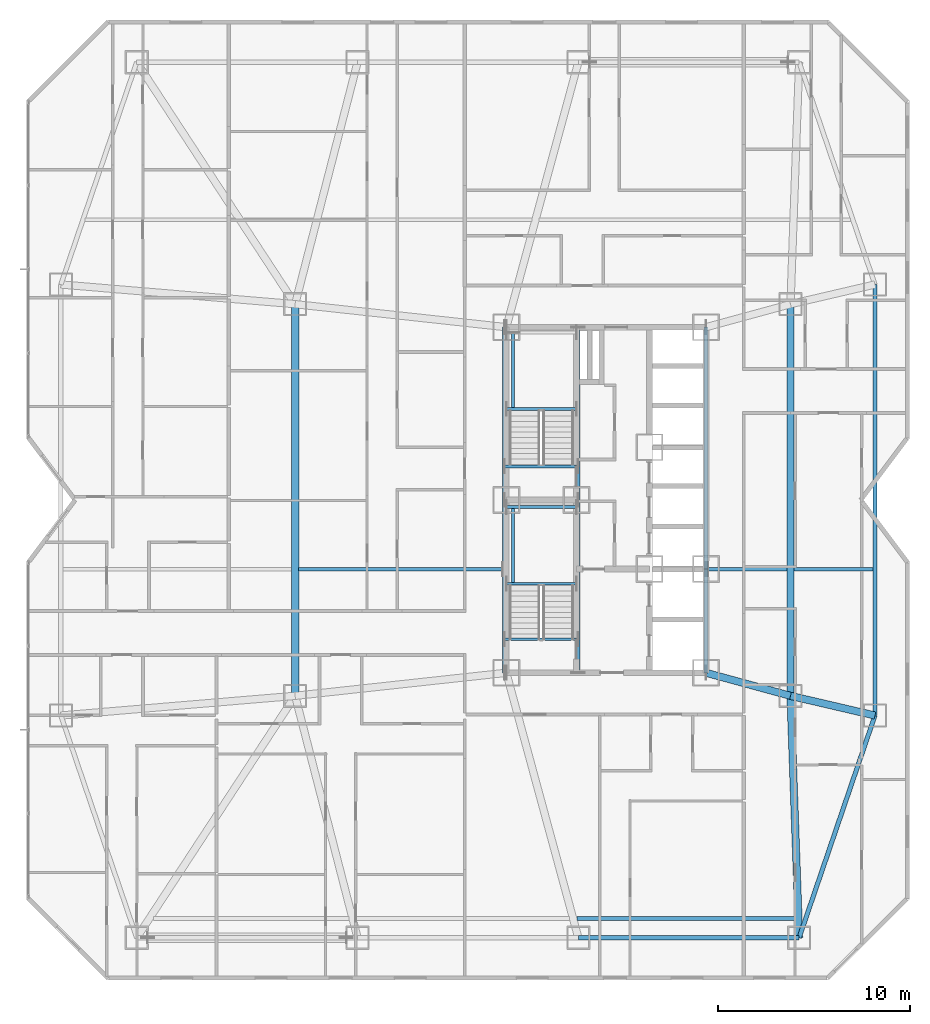
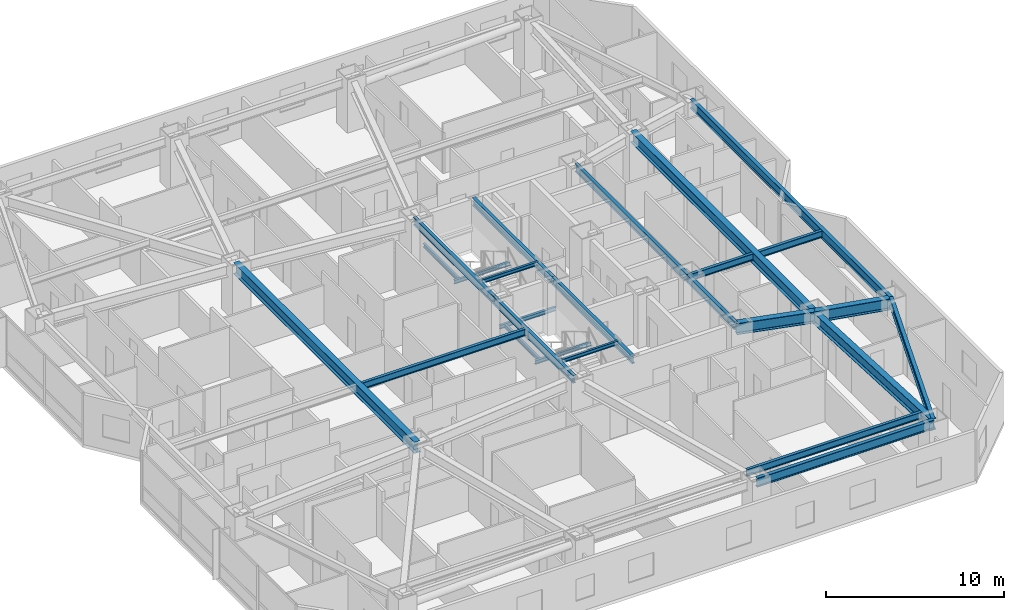
# One storey, part 9 of 25: 25 beams.
"""IFC4 building model written with IfcOpenShell, lengths in metres."""

import ifcopenshell
import ifcopenshell.guid

model = None  # the IFC model being written
_history = None  # IfcOwnerHistory: only IFC2X3 demands one
_inside = {}  # id of a spatial element -> (the spatial element, [elements in it])
_under = {}  # id of a project, library or spatial element -> (it, [spatial elements below it])
_declared = {}  # id of a project -> (the project, [libraries it declares])
_typed = {}  # id of a type object -> (the type object, [elements of that type])
_made_of = {}  # id of a material, layer set ... -> (it, [elements and type objects made of it])


def new_model(schema):
    """Start an empty IFC model of exactly this schema.

    Asked for "IFC4X3", IfcOpenShell would pick the latest addendum, in which some entities
    have other attributes; the version numbers below select the first issue.
    IFC2X3 requires an IfcOwnerHistory on every rooted entity: one is made here for all.
    """
    global model, _history
    if schema == "IFC4X3":
        model = ifcopenshell.file(schema_version=(4, 3, 0, 0))
    else:
        model = ifcopenshell.file(schema=schema)
    _inside.clear()
    _under.clear()
    _declared.clear()
    _typed.clear()
    _made_of.clear()
    _history = None
    if model.schema == "IFC2X3":
        org = make("IfcOrganization", Name="unknown")
        user = make(
            "IfcPersonAndOrganization",
            ThePerson=make("IfcPerson", FamilyName="unknown"),
            TheOrganization=org,
        )
        app = make(
            "IfcApplication",
            ApplicationDeveloper=org,
            Version="unknown",
            ApplicationFullName="unknown",
            ApplicationIdentifier="unknown",
        )
        _history = make(
            "IfcOwnerHistory",
            OwningUser=user,
            OwningApplication=app,
            ChangeAction="ADDED",
            CreationDate=0,
        )
    return model


def make(cls, **values):
    """One entity of the class cls with the attributes given. An attribute that is None is left unset."""
    return model.create_entity(
        cls, **{name: value for name, value in values.items() if value is not None}
    )


def rooted(cls, **values):
    """An entity with a GlobalId (a new one), such as an element, a storey or a relation."""
    return make(cls, GlobalId=ifcopenshell.guid.new(), OwnerHistory=_history, **values)


def si_unit(unit_type, name, prefix=None):
    """IfcSIUnit, for example si_unit("LENGTHUNIT", "METRE", prefix="MILLI")."""
    return make("IfcSIUnit", UnitType=unit_type, Prefix=prefix, Name=name)


def assignment(units):
    """IfcUnitAssignment: the units of a project."""
    return None if units is None else make("IfcUnitAssignment", Units=units)


def point(xyz):
    """IfcCartesianPoint."""
    return None if xyz is None else make("IfcCartesianPoint", Coordinates=xyz)


def direction(xyz):
    """IfcDirection."""
    return None if xyz is None else make("IfcDirection", DirectionRatios=xyz)


def frame(location, z_axis=None, x_axis=None):
    """IfcAxis2Placement3D, a coordinate frame: its origin and axes. An axis left out is left unset."""
    return make(
        "IfcAxis2Placement3D",
        Location=point(location),
        Axis=direction(z_axis),
        RefDirection=direction(x_axis),
    )


def frame_2d(location, x_axis=None):
    """IfcAxis2Placement2D, a coordinate frame in the plane: its origin and x axis."""
    return make(
        "IfcAxis2Placement2D", Location=point(location), RefDirection=direction(x_axis)
    )


def origin():
    """The frame at (0, 0, 0) with its axes left unset."""
    return frame((0.0, 0.0, 0.0))


def origin_2d():
    """The frame at (0, 0) in the plane with its x axis left unset."""
    return frame_2d((0.0, 0.0))


def place(relative_to, where):
    """IfcLocalPlacement: puts the frame where relative to a parent placement (None: the world)."""
    return make(
        "IfcLocalPlacement", PlacementRelTo=relative_to, RelativePlacement=where
    )


def context(
    kind, dimensions, precision=None, world=None, true_north=None, identifier=None
):
    """IfcGeometricRepresentationContext, for example the 3D "Model" context."""
    return make(
        "IfcGeometricRepresentationContext",
        ContextIdentifier=identifier,
        ContextType=kind,
        CoordinateSpaceDimension=dimensions,
        Precision=precision,
        WorldCoordinateSystem=world,
        TrueNorth=true_north,
    )


def subcontext(parent, identifier, kind, view, scale=None):
    """IfcGeometricRepresentationSubContext, for example "Body" below "Model"."""
    return make(
        "IfcGeometricRepresentationSubContext",
        ContextIdentifier=identifier,
        ContextType=kind,
        ParentContext=parent,
        TargetScale=scale,
        TargetView=view,
    )


def project(units=None, contexts=None):
    """IfcProject with its units and contexts."""
    return rooted(
        "IfcProject",
        Name="project",
        RepresentationContexts=contexts,
        UnitsInContext=assignment(units),
    )


def spatial(cls, under=None, at=None, **own):
    """A site, building, storey or space (cls), placed at a placement, below another one or the project."""
    s = rooted(cls, ObjectPlacement=at, **own)
    if under is not None:
        _under.setdefault(under.id(), (under, []))[1].append(s)
    return s


def profile(cls, at=None, kind="AREA", **sizes):
    """A parametric profile (cls). Its sizes go by their IFC names, for example OverallWidth=200.0."""
    return make(cls, ProfileType=kind, Position=at, **sizes)


def i_section(**sizes):
    """IfcIShapeProfileDef."""
    return profile("IfcIShapeProfileDef", **sizes)


def extrude(swept, where, along, depth):
    """IfcExtrudedAreaSolid: the profile swept, set in the frame where, extruded along a direction by depth."""
    return make(
        "IfcExtrudedAreaSolid",
        SweptArea=swept,
        Position=where,
        ExtrudedDirection=direction(along),
        Depth=depth,
    )


def shape(context_of_items, identifier, shape_type, items):
    """IfcShapeRepresentation: the items that make up one representation, for example the "Body"."""
    return make(
        "IfcShapeRepresentation",
        ContextOfItems=context_of_items,
        RepresentationIdentifier=identifier,
        RepresentationType=shape_type,
        Items=items,
    )


def material(Name=None, Category=None):
    """IfcMaterial."""
    return make("IfcMaterial", Name=Name, Category=Category)


def material_profile(
    of_material, cross_section, Name=None, Category=None, Priority=None
):
    """IfcMaterialProfile: a cross section and its material."""
    return make(
        "IfcMaterialProfile",
        Name=Name,
        Material=of_material,
        Profile=cross_section,
        Priority=Priority,
        Category=Category,
    )


def profile_set(profiles, Name=None, composite=None):
    """IfcMaterialProfileSet."""
    return make(
        "IfcMaterialProfileSet",
        Name=Name,
        MaterialProfiles=profiles,
        CompositeProfile=composite,
    )


def made_of(thing, what):
    """Note that an element or type object is made of a material, layer set ...; save() writes the relation."""
    if what is not None:
        _made_of.setdefault(what.id(), (what, []))[1].append(thing)
    return thing


def type_object(cls, material=None, **own):
    """A type object (cls), such as IfcWallType, which elements share."""
    return made_of(rooted(cls, **own), material)


def element(
    cls,
    number,
    at=None,
    inside=None,
    cuts=None,
    type_object=None,
    material=None,
    context=None,
    identifier="Body",
    shape_type=None,
    held_by="IfcProductDefinitionShape",
    body=None,
    shapes=None,
    **own,
):
    """One element of the class cls, such as IfcWall. Its Tag is "e" and its number.

    at: its placement. inside: the storey or other place that contains it. cuts: it is an
    opening in that element (IfcRelVoidsElement). A single representation is given by context,
    identifier, shape_type and body (its items); several are given by shapes. held_by: the class
    of the entity that holds the representations. save() writes the other relations.
    """
    e = rooted(cls, Tag="e%d" % number, ObjectPlacement=at, **own)
    if body is not None:
        shapes = [shape(context, identifier, shape_type, body)]
    if shapes is not None:
        e.Representation = make(held_by, Representations=shapes)
    if inside is not None:
        _inside.setdefault(inside.id(), (inside, []))[1].append(e)
    if cuts is not None:
        rooted(
            "IfcRelVoidsElement", RelatingBuildingElement=cuts, RelatedOpeningElement=e
        )
    if type_object is not None:
        _typed.setdefault(type_object.id(), (type_object, []))[1].append(e)
    return made_of(e, material)


def aggregate(whole, parts):
    """IfcRelAggregates: a whole, such as a stair, and the parts it consists of."""
    return rooted("IfcRelAggregates", RelatingObject=whole, RelatedObjects=parts)


def save(model, path):
    """Write the relations noted so far, then the file.

    IfcRelAggregates (storeys below a building ...), IfcRelContainedInSpatialStructure (elements
    in a storey), IfcRelDefinesByType, IfcRelAssociatesMaterial and IfcRelDeclares: one each for
    every whole, place, type object, material and project.
    """
    for whole, parts in _under.values():
        aggregate(whole, parts)
    for where, things in _inside.values():
        rooted(
            "IfcRelContainedInSpatialStructure",
            RelatedElements=things,
            RelatingStructure=where,
        )
    for kind, things in _typed.values():
        rooted("IfcRelDefinesByType", RelatedObjects=things, RelatingType=kind)
    for what, things in _made_of.values():
        rooted("IfcRelAssociatesMaterial", RelatedObjects=things, RelatingMaterial=what)
    for by, libraries in _declared.values():
        rooted("IfcRelDeclares", RelatingContext=by, RelatedDefinitions=libraries)
    model.write(path)


model = new_model("IFC4")

# Units and contexts
model_context = context("Model", 3, precision=1e-05, world=origin(), true_north=direction((0.0, 1.0)))
body_context = subcontext(model_context, "Body", "Model", "MODEL_VIEW")
ifc_project = project(units=[si_unit("LENGTHUNIT", "METRE"), si_unit("AREAUNIT", "SQUARE_METRE"), si_unit("VOLUMEUNIT", "CUBIC_METRE"), si_unit("PLANEANGLEUNIT", "RADIAN"), si_unit("MASSUNIT", "GRAM", prefix="KILO")], contexts=[model_context])

# Site, building, storey
site_placement = place(None, origin())
site = spatial("IfcSite", under=ifc_project, at=site_placement, CompositionType="ELEMENT")
building_placement = place(site_placement, origin())
building = spatial("IfcBuilding", under=site, at=building_placement, Name="Khamvora Tower", CompositionType="ELEMENT")
storey_placement = place(building_placement, frame((0.0, 0.0, 36.949951171875)))
storey = spatial("IfcBuildingStorey", under=building, at=storey_placement, Name="L08", CompositionType="ELEMENT", Elevation=36.949951171875)

# Beams
ifc_material = material(Name="Steel S355", Category="steel")
ifc_material_profile_1 = material_profile(ifc_material, i_section(OverallWidth=0.19189453125, OverallDepth=0.462890625, WebThickness=0.010986328125, FlangeThickness=0.01806640625, FilletRadius=0.011962890625, at=origin_2d()), Name="W460x89")
ifc_profile_set_1 = profile_set([ifc_material_profile_1], Name="Steel S355")
beam_type_1 = type_object("IfcBeamType", Name="BM-JS-W460x89", PredefinedType="JOIST", material=ifc_profile_set_1)
beam_1_placement = place(storey_placement, frame((32.6708984375, 6.199951171875, 3.198974609375), z_axis=(1.0, 0.0, 0.0), x_axis=(0.0, 1.0, 0.0)))
element("IfcBeam", 1, at=beam_1_placement, inside=storey, type_object=beam_type_1, Name="L08 secondary floor joist 03", PredefinedType="JOIST", context=body_context, shape_type="SweptSolid", body=[
    extrude(i_section(OverallWidth=0.19189453125, OverallDepth=0.462890625, WebThickness=0.010986328125, FlangeThickness=0.01806640625, FilletRadius=0.011962890625, at=origin_2d()), origin(), (0.0, 0.0, 1.0), 11.358154296875),
])
beam_2_placement = place(storey_placement, frame((18.18603515625, 24.39990234375, 3.198974609375), z_axis=(1.0, 0.0, 0.0), x_axis=(0.0, 1.0, 0.0)))
element("IfcBeam", 2, at=beam_2_placement, inside=storey, type_object=beam_type_1, Name="L08 secondary floor joist 05", PredefinedType="JOIST", context=body_context, shape_type="SweptSolid", body=[
    extrude(i_section(OverallWidth=0.19189453125, OverallDepth=0.462890625, WebThickness=0.010986328125, FlangeThickness=0.01806640625, FilletRadius=0.011962890625, at=origin_2d()), origin(), (0.0, 0.0, 1.0), 10.614013671875),
])
beam_3_placement = place(storey_placement, frame((39.4990234375, 24.39990234375, 3.198974609375), z_axis=(1.0, 0.0, 0.0), x_axis=(0.0, 1.0, 0.0)))
element("IfcBeam", 3, at=beam_3_placement, inside=storey, type_object=beam_type_1, Name="L08 secondary floor joist 06", PredefinedType="JOIST", context=body_context, shape_type="SweptSolid", body=[
    extrude(i_section(OverallWidth=0.19189453125, OverallDepth=0.462890625, WebThickness=0.010986328125, FlangeThickness=0.01806640625, FilletRadius=0.011962890625, at=origin_2d()), origin(), (0.0, 0.0, 1.0), 4.114990234375),
])
beam_4_placement = place(storey_placement, frame((43.985107421875, 24.39990234375, 3.198974609375), z_axis=(1.0, 0.0, 0.0), x_axis=(0.0, 1.0, 0.0)))
element("IfcBeam", 4, at=beam_4_placement, inside=storey, type_object=beam_type_1, Name="L08 secondary floor joist 07", PredefinedType="JOIST", context=body_context, shape_type="SweptSolid", body=[
    extrude(i_section(OverallWidth=0.19189453125, OverallDepth=0.462890625, WebThickness=0.010986328125, FlangeThickness=0.01806640625, FilletRadius=0.011962890625, at=origin_2d()), origin(), (0.0, 0.0, 1.0), 4.10498046875),
])
ifc_material_profile_2 = material_profile(ifc_material, i_section(OverallWidth=0.14697265625, OverallDepth=0.261962890625, WebThickness=0.007080078125, FlangeThickness=0.010986328125, FilletRadius=0.008056640625, at=origin_2d()), Name="W250x39")
ifc_profile_set_2 = profile_set([ifc_material_profile_2], Name="Steel S355")
beam_type_2 = type_object("IfcBeamType", Name="BM-LN-W250x39", PredefinedType="LINTEL", material=ifc_profile_set_2)
for number, where, z_axis, x_axis, name in (
    (5, (29.0, 23.635009765625, 1.494140625), (1.0, 0.0, 0.0), (0.0, 1.0, 0.0), "L08 ST-01 half-landing support beam 1.1"),
    (6, (29.0, 27.6298828125, 1.494140625), (1.0, 0.0, 0.0), (0.0, 1.0, 0.0), "L08 ST-01 half-landing support beam 1.2"),
):
    element("IfcBeam", number, at=place(storey_placement, frame(where, z_axis=z_axis, x_axis=x_axis)), inside=storey, type_object=beam_type_2, Name=name, PredefinedType="LINTEL", context=body_context, shape_type="SweptSolid", body=[
        extrude(i_section(OverallWidth=0.14697265625, OverallDepth=0.261962890625, WebThickness=0.007080078125, FlangeThickness=0.010986328125, FilletRadius=0.008056640625, at=origin_2d()), origin(), (0.0, 0.0, 1.0), 3.64990234375),
    ])
beam_5_placement = place(storey_placement, frame((29.35009765625, 23.635009765625, 1.494140625), z_axis=(0.0, 1.0, 0.0), x_axis=(-1.0, 0.0, 0.0)))
element("IfcBeam", 7, at=beam_5_placement, inside=storey, type_object=beam_type_2, Name="L08 ST-01 half-landing edge stringer 1", PredefinedType="LINTEL", context=body_context, shape_type="SweptSolid", body=[
    extrude(i_section(OverallWidth=0.14697265625, OverallDepth=0.261962890625, WebThickness=0.007080078125, FlangeThickness=0.010986328125, FilletRadius=0.008056640625, at=origin_2d()), origin(), (0.0, 0.0, 1.0), 3.994873046875),
])
beam_6_placement = place(storey_placement, frame((29.0, 32.735107421875, 1.494140625), z_axis=(1.0, 0.0, 0.0), x_axis=(0.0, 1.0, 0.0)))
element("IfcBeam", 8, at=beam_6_placement, inside=storey, type_object=beam_type_2, Name="L08 ST-02 half-landing support beam 1.1", PredefinedType="LINTEL", context=body_context, shape_type="SweptSolid", body=[
    extrude(i_section(OverallWidth=0.14697265625, OverallDepth=0.261962890625, WebThickness=0.007080078125, FlangeThickness=0.010986328125, FilletRadius=0.008056640625, at=origin_2d()), origin(), (0.0, 0.0, 1.0), 3.64990234375),
])
beam_7_placement = place(storey_placement, frame((29.35009765625, 32.735107421875, 1.494140625), z_axis=(0.0, 1.0, 0.0), x_axis=(-1.0, 0.0, 0.0)))
element("IfcBeam", 9, at=beam_7_placement, inside=storey, type_object=beam_type_2, Name="L08 ST-02 half-landing edge stringer 1", PredefinedType="LINTEL", context=body_context, shape_type="SweptSolid", body=[
    extrude(i_section(OverallWidth=0.14697265625, OverallDepth=0.261962890625, WebThickness=0.007080078125, FlangeThickness=0.010986328125, FilletRadius=0.008056640625, at=origin_2d()), origin(), (0.0, 0.0, 1.0), 3.994873046875),
])
for number, where, z_axis, x_axis, name in (
    (10, (28.89990234375, 20.75, 3.303955078125), (1.0, 0.0, 0.0), (0.0, 1.0, 0.0), "L08 exit stair ST-01 landing trimmer beam"),
    (11, (28.89990234375, 29.75, 3.303955078125), (1.0, 0.0, 0.0), (0.0, 1.0, 0.0), "L08 exit stair ST-02 landing trimmer beam"),
):
    element("IfcBeam", number, at=place(storey_placement, frame(where, z_axis=z_axis, x_axis=x_axis)), inside=storey, type_object=beam_type_2, Name=name, PredefinedType="LINTEL", context=body_context, shape_type="SweptSolid", body=[
        extrude(i_section(OverallWidth=0.14697265625, OverallDepth=0.261962890625, WebThickness=0.007080078125, FlangeThickness=0.010986328125, FilletRadius=0.008056640625, at=origin_2d()), origin(), (0.0, 0.0, 1.0), 3.830078125),
    ])
ifc_material_profile_3 = material_profile(ifc_material, i_section(OverallWidth=0.381103515625, OverallDepth=0.77294921875, WebThickness=0.01708984375, FlangeThickness=0.027099609375, FilletRadius=0.01806640625, at=origin_2d()), Name="W760x257")
ifc_profile_set_3 = profile_set([ifc_material_profile_3], Name="Steel S355")
beam_type_3 = type_object("IfcBeamType", Name="BM-PG-W760x257", PredefinedType="BEAM", material=ifc_profile_set_3)
for number, where, z_axis, x_axis, name in (
    (12, (43.800048828125, 17.800048828125, 3.0439453125), (0.0, 1.0, 0.0), (-1.0, 0.0, 0.0), "L08 longitudinal frame girder M1-M2"),
    (13, (18.0, 17.800048828125, 3.0439453125), (0.0, 1.0, 0.0), (-1.0, 0.0, 0.0), "L08 longitudinal frame girder MW1-MW2"),
):
    element("IfcBeam", number, at=place(storey_placement, frame(where, z_axis=z_axis, x_axis=x_axis)), inside=storey, type_object=beam_type_3, Name=name, PredefinedType="BEAM", context=body_context, shape_type="SweptSolid", body=[
        extrude(i_section(OverallWidth=0.381103515625, OverallDepth=0.77294921875, WebThickness=0.01708984375, FlangeThickness=0.027099609375, FilletRadius=0.01806640625, at=origin_2d()), origin(), (0.0, 0.0, 1.0), 20.39990234375),
    ])
beam_8_placement = place(storey_placement, frame((43.800048828125, 17.800048828125, 3.0439453125), z_axis=(0.035687386423, -0.999363002342, 0.0), x_axis=(0.999363002342, 0.035687386423, 0.0)))
element("IfcBeam", 14, at=beam_8_placement, inside=storey, type_object=beam_type_3, Name="L08 primary floor girder S4", PredefinedType="BEAM", context=body_context, shape_type="SweptSolid", body=[
    extrude(i_section(OverallWidth=0.381103515625, OverallDepth=0.77294921875, WebThickness=0.01708984375, FlangeThickness=0.027099609375, FilletRadius=0.01806640625, at=origin_2d()), origin(), (0.0, 0.0, 1.0), 12.608154296875),
])
beam_9_placement = place(storey_placement, frame((43.800048828125, 17.800048828125, 3.0439453125), z_axis=(0.973914503503, -0.226915270237, 0.0), x_axis=(0.226915270237, 0.973914503503, 0.0)))
element("IfcBeam", 15, at=beam_9_placement, inside=storey, type_object=beam_type_3, Name="L08 primary floor girder E1", PredefinedType="BEAM", context=body_context, shape_type="SweptSolid", body=[
    extrude(i_section(OverallWidth=0.381103515625, OverallDepth=0.77294921875, WebThickness=0.01708984375, FlangeThickness=0.027099609375, FilletRadius=0.01806640625, at=origin_2d()), origin(), (0.0, 0.0, 1.0), 4.517822265625),
])
beam_10_placement = place(storey_placement, frame((39.39990234375, 19.0, 3.0439453125), z_axis=(0.964768762286, -0.263099287945, 0.0), x_axis=(0.263099287945, 0.964768762286, 0.0)))
element("IfcBeam", 16, at=beam_10_placement, inside=storey, type_object=beam_type_3, Name="L08 primary floor girder M1", PredefinedType="BEAM", context=body_context, shape_type="SweptSolid", body=[
    extrude(i_section(OverallWidth=0.381103515625, OverallDepth=0.77294921875, WebThickness=0.01708984375, FlangeThickness=0.027099609375, FilletRadius=0.01806640625, at=origin_2d()), origin(), (0.0, 0.0, 1.0), 4.560791015625),
])
ifc_material_profile_4 = material_profile(ifc_material, i_section(OverallWidth=0.208984375, OverallDepth=0.532958984375, WebThickness=0.010009765625, FlangeThickness=0.01611328125, FilletRadius=0.013916015625, at=origin_2d()), Name="W530x92")
ifc_profile_set_4 = profile_set([ifc_material_profile_4], Name="Steel S355")
beam_type_4 = type_object("IfcBeamType", Name="BM-SP-W530x92", PredefinedType="SPANDREL", material=ifc_profile_set_4)
for number, where, z_axis, x_axis, name in (
    (17, (28.89990234375, 19.0, 3.1640625), (0.0, 1.0, 0.0), (-1.0, 0.0, 0.0), "L08 core spine girder WS"),
    (18, (28.89990234375, 28.0, 3.1640625), (0.0, 1.0, 0.0), (-1.0, 0.0, 0.0), "L08 core spine girder WN"),
    (19, (32.72998046875, 19.0, 3.1640625), (0.0, 1.0, 0.0), (-1.0, 0.0, 0.0), "L08 core spine girder M1S"),
    (20, (32.72998046875, 28.0, 3.1640625), (0.0, 1.0, 0.0), (-1.0, 0.0, 0.0), "L08 core spine girder M1N"),
):
    element("IfcBeam", number, at=place(storey_placement, frame(where, z_axis=z_axis, x_axis=x_axis)), inside=storey, type_object=beam_type_4, Name=name, PredefinedType="SPANDREL", context=body_context, shape_type="SweptSolid", body=[
        extrude(i_section(OverallWidth=0.208984375, OverallDepth=0.532958984375, WebThickness=0.010009765625, FlangeThickness=0.01611328125, FilletRadius=0.013916015625, at=origin_2d()), origin(), (0.0, 0.0, 1.0), 9.0),
    ])
beam_11_placement = place(storey_placement, frame((39.39990234375, 19.0, 3.1640625), z_axis=(0.0, 1.0, 0.0), x_axis=(-1.0, 0.0, 0.0)))
element("IfcBeam", 21, at=beam_11_placement, inside=storey, type_object=beam_type_4, Name="L08 core spine girder ES", PredefinedType="SPANDREL", context=body_context, shape_type="SweptSolid", body=[
    extrude(i_section(OverallWidth=0.208984375, OverallDepth=0.532958984375, WebThickness=0.010009765625, FlangeThickness=0.01611328125, FilletRadius=0.013916015625, at=origin_2d()), origin(), (0.0, 0.0, 1.0), 5.39990234375),
])
beam_12_placement = place(storey_placement, frame((39.39990234375, 24.39990234375, 3.1640625), z_axis=(0.0, 1.0, 0.0), x_axis=(-1.0, 0.0, 0.0)))
element("IfcBeam", 22, at=beam_12_placement, inside=storey, type_object=beam_type_4, Name="L08 core spine girder EN", PredefinedType="SPANDREL", context=body_context, shape_type="SweptSolid", body=[
    extrude(i_section(OverallWidth=0.208984375, OverallDepth=0.532958984375, WebThickness=0.010009765625, FlangeThickness=0.01611328125, FilletRadius=0.013916015625, at=origin_2d()), origin(), (0.0, 0.0, 1.0), 12.60009765625),
])
ifc_material_profile_5 = material_profile(ifc_material, i_section(OverallWidth=0.22998046875, OverallDepth=0.616943359375, WebThickness=0.012939453125, FlangeThickness=0.02197265625, FilletRadius=0.013916015625, at=origin_2d()), Name="W610x140")
ifc_profile_set_5 = profile_set([ifc_material_profile_5], Name="Steel S355")
beam_type_5 = type_object("IfcBeamType", Name="BM-SP-W610x140", PredefinedType="SPANDREL", material=ifc_profile_set_5)
beam_13_placement = place(storey_placement, frame((32.75, 5.199951171875, 3.1220703125), z_axis=(1.0, 0.0, 0.0), x_axis=(0.0, 1.0, 0.0)))
element("IfcBeam", 23, at=beam_13_placement, inside=storey, type_object=beam_type_5, Name="L08 perimeter spandrel beam S3-S4", PredefinedType="SPANDREL", context=body_context, shape_type="SweptSolid", body=[
    extrude(i_section(OverallWidth=0.22998046875, OverallDepth=0.616943359375, WebThickness=0.012939453125, FlangeThickness=0.02197265625, FilletRadius=0.013916015625, at=origin_2d()), origin(), (0.0, 0.0, 1.0), 11.5),
])
beam_14_placement = place(storey_placement, frame((44.25, 5.199951171875, 3.1220703125), z_axis=(0.322962893199, 0.946411628002, 0.0), x_axis=(-0.946411628002, 0.322962893199, 0.0)))
element("IfcBeam", 24, at=beam_14_placement, inside=storey, type_object=beam_type_5, Name="L08 perimeter spandrel beam S4-E1", PredefinedType="SPANDREL", context=body_context, shape_type="SweptSolid", body=[
    extrude(i_section(OverallWidth=0.22998046875, OverallDepth=0.616943359375, WebThickness=0.012939453125, FlangeThickness=0.02197265625, FilletRadius=0.013916015625, at=origin_2d()), origin(), (0.0, 0.0, 1.0), 12.23046875),
])
beam_15_placement = place(storey_placement, frame((48.199951171875, 16.77490234375, 3.1220703125), z_axis=(0.0, 1.0, 0.0), x_axis=(-1.0, 0.0, 0.0)))
element("IfcBeam", 25, at=beam_15_placement, inside=storey, type_object=beam_type_5, Name="L08 perimeter spandrel beam E1-E2", PredefinedType="SPANDREL", context=body_context, shape_type="SweptSolid", body=[
    extrude(i_section(OverallWidth=0.22998046875, OverallDepth=0.616943359375, WebThickness=0.012939453125, FlangeThickness=0.02197265625, FilletRadius=0.013916015625, at=origin_2d()), origin(), (0.0, 0.0, 1.0), 22.4501953125),
])

save(model, "model.ifc")
